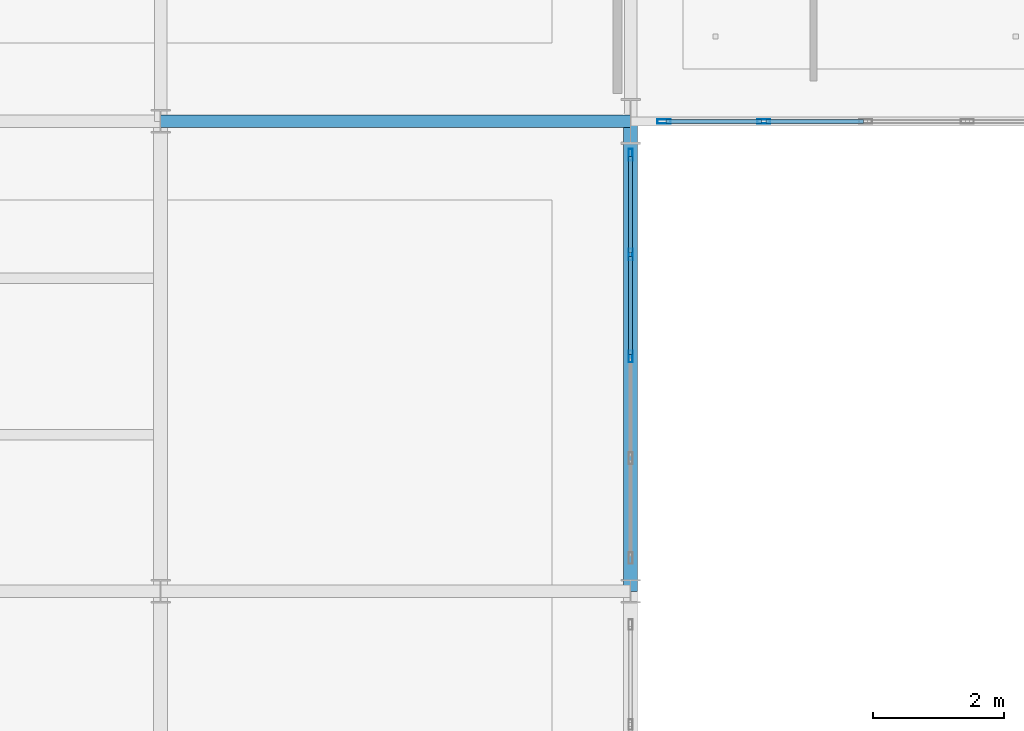
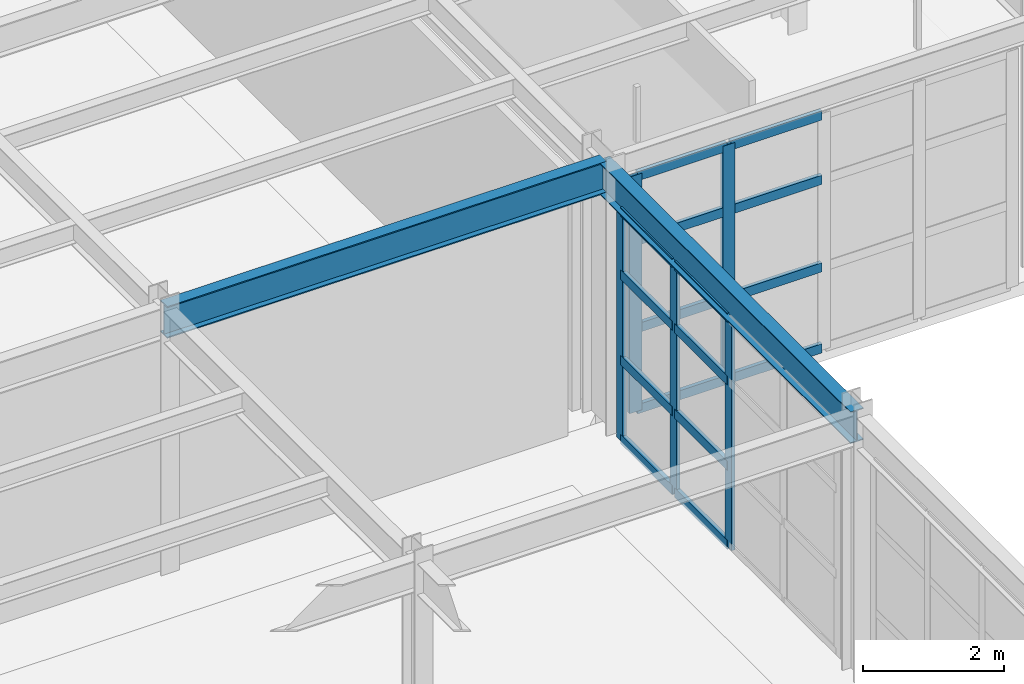
# One storey, part 29 of 121: 21 members, 2 beams, 2 elements without a shape of their own.
"""IFC4 building model written with IfcOpenShell, lengths in metres."""

from ifc_helpers import new_model, si_unit, direction, frame, origin, origin_2d, place, context, subcontext, project, spatial, hollow_rectangle, i_section, extrude, material, layer, layer_set, material_profile, profile_set, type_object, element, aggregate, save


model = new_model("IFC4")

# Units and contexts
model_context = context("Model", 3, precision=1e-05, world=origin(), true_north=direction((0.0, 1.0)))
body_context = subcontext(model_context, "Body", "Model", "MODEL_VIEW")
ifc_project = project(units=[si_unit("LENGTHUNIT", "METRE"), si_unit("AREAUNIT", "SQUARE_METRE"), si_unit("VOLUMEUNIT", "CUBIC_METRE"), si_unit("PLANEANGLEUNIT", "RADIAN"), si_unit("MASSUNIT", "GRAM", prefix="KILO")], contexts=[model_context])

# Site, building, storey
site_placement = place(None, origin())
site = spatial("IfcSite", under=ifc_project, at=site_placement, CompositionType="ELEMENT")
building_placement = place(site_placement, origin())
building = spatial("IfcBuilding", under=site, at=building_placement, Name="Solvadek Multi-Sports Hall", CompositionType="ELEMENT")
storey_placement = place(building_placement, frame((0.0, 0.0, 4.800048828125)))
storey = spatial("IfcBuildingStorey", under=building, at=storey_placement, Name="L01", CompositionType="ELEMENT", Elevation=4.800048828125)

# Curtain wall, members
ifc_material_1 = material(Name="Anodised aluminium", Category="aluminium")
ifc_layer_1 = layer(ifc_material_1, 0.159912109375, Name="Anodised aluminium")
ifc_layer_set_1 = layer_set([ifc_layer_1], Name="Anodised aluminium")
curtain_wall_type_1 = type_object("IfcCurtainWallType", Name="ENV-CW-624X400", PredefinedType="USERDEFINED", material=ifc_layer_set_1)
curtain_wall_1_placement = place(storey_placement, origin())
curtain_wall_1 = element("IfcCurtainWall", 1, at=curtain_wall_1_placement, inside=storey, type_object=curtain_wall_type_1, Name="L01 Perimeter Bay Curtain Wall #198", ObjectType="CURTAIN WALL", PredefinedType="USERDEFINED")
ifc_material_profile_1 = material_profile(ifc_material_1, hollow_rectangle(XDim=0.06005859375, YDim=0.179931640625, WallThickness=0.00390625, at=origin_2d()), Name="ALU-M 180x60x4")
ifc_profile_set_1 = profile_set([ifc_material_profile_1], Name="Anodised aluminium")
member_type_1 = type_object("IfcMemberType", Name="ENV-CWM-02", PredefinedType="MULLION", material=ifc_profile_set_1)
member_1_placement = place(storey_placement, frame((21.60009765625, 45.60009765625, 0.0), z_axis=(0.0, 0.0, 1.0), x_axis=(-1.0, 0.0, 0.0)))
member_1 = element("IfcMember", 2, at=member_1_placement, type_object=member_type_1, Name="CW-56 mullion 3", PredefinedType="MULLION", context=body_context, shape_type="SweptSolid", body=[
    extrude(hollow_rectangle(XDim=0.06005859375, YDim=0.179931640625, WallThickness=0.00390625, at=origin_2d()), origin(), (0.0, 0.0, 1.0), 4.0),
])
member_2_placement = place(storey_placement, frame((21.60009765625, 47.159912109375, 0.0), z_axis=(0.0, 0.0, 1.0), x_axis=(-1.0, 0.0, 0.0)))
member_2 = element("IfcMember", 3, at=member_2_placement, type_object=member_type_1, Name="CW-56 mullion 4", PredefinedType="MULLION", context=body_context, shape_type="SweptSolid", body=[
    extrude(hollow_rectangle(XDim=0.06005859375, YDim=0.179931640625, WallThickness=0.00390625, at=origin_2d()), origin(), (0.0, 0.0, 1.0), 4.0),
])
member_3_placement = place(storey_placement, frame((21.60009765625, 48.68994140625, 0.0), z_axis=(0.0, 0.0, 1.0), x_axis=(-1.0, 0.0, 0.0)))
member_3 = element("IfcMember", 4, at=member_3_placement, type_object=member_type_1, Name="CW-56 mullion 5", PredefinedType="MULLION", context=body_context, shape_type="SweptSolid", body=[
    extrude(hollow_rectangle(XDim=0.06005859375, YDim=0.179931640625, WallThickness=0.00390625, at=origin_2d()), origin(), (0.0, 0.0, 1.0), 4.0),
])

ifc_layer_2 = layer(ifc_material_1, 0.159912109375, Name="Anodised aluminium")
ifc_layer_set_2 = layer_set([ifc_layer_2], Name="Anodised aluminium")
curtain_wall_type_2 = type_object("IfcCurtainWallType", Name="ENV-CW-624X410", PredefinedType="USERDEFINED", material=ifc_layer_set_2)
curtain_wall_2_placement = place(storey_placement, origin())
curtain_wall_2 = element("IfcCurtainWall", 5, at=curtain_wall_2_placement, inside=storey, type_object=curtain_wall_type_2, Name="L01 Perimeter Bay Curtain Wall #156", ObjectType="CURTAIN WALL", PredefinedType="USERDEFINED")
ifc_material_profile_2 = material_profile(ifc_material_1, hollow_rectangle(XDim=0.06494140625, YDim=0.199951171875, WallThickness=0.0048828125, at=origin_2d()), Name="ALU-M 200x65x5")
ifc_profile_set_2 = profile_set([ifc_material_profile_2], Name="Anodised aluminium")
member_type_2 = type_object("IfcMemberType", Name="ENV-CWM-03", PredefinedType="MULLION", material=ifc_profile_set_2)
member_4_placement = place(storey_placement, frame((22.112548828125, 49.199951171875, 0.0), z_axis=(0.0, 0.0, 1.0), x_axis=(0.0, 1.0, 0.0)))
member_4 = element("IfcMember", 6, at=member_4_placement, type_object=member_type_2, Name="CW-39 mullion 1", PredefinedType="MULLION", context=body_context, shape_type="SweptSolid", body=[
    extrude(hollow_rectangle(XDim=0.06494140625, YDim=0.199951171875, WallThickness=0.0048828125, at=origin_2d()), origin(), (0.0, 0.0, 1.0), 4.099853515625),
])
member_5_placement = place(storey_placement, frame((23.639892578125, 49.199951171875, 0.0), z_axis=(0.0, 0.0, 1.0), x_axis=(0.0, 1.0, 0.0)))
member_5 = element("IfcMember", 7, at=member_5_placement, type_object=member_type_2, Name="CW-39 mullion 2", PredefinedType="MULLION", context=body_context, shape_type="SweptSolid", body=[
    extrude(hollow_rectangle(XDim=0.06494140625, YDim=0.199951171875, WallThickness=0.0048828125, at=origin_2d()), origin(), (0.0, 0.0, 1.0), 4.099853515625),
])
ifc_material_profile_3 = material_profile(ifc_material_1, hollow_rectangle(XDim=0.06494140625, YDim=0.159912109375, WallThickness=0.00390625, at=origin_2d()), Name="ALU-T 160x65x4")
ifc_profile_set_3 = profile_set([ifc_material_profile_3], Name="Anodised aluminium")
member_type_3 = type_object("IfcMemberType", Name="ENV-CWT-03", PredefinedType="USERDEFINED", material=ifc_profile_set_3)
member_6_placement = place(storey_placement, frame((22.14501953125, 49.199951171875, 0.032470703125), z_axis=(1.0, 0.0, 0.0), x_axis=(0.0, 1.0, 0.0)))
member_6 = element("IfcMember", 8, at=member_6_placement, type_object=member_type_3, Name="CW-39 transom 1.1", ObjectType="TRANSOM", PredefinedType="USERDEFINED", context=body_context, shape_type="SweptSolid", body=[
    extrude(hollow_rectangle(XDim=0.06494140625, YDim=0.159912109375, WallThickness=0.00390625, at=origin_2d()), origin(), (0.0, 0.0, 1.0), 1.46240234375),
])
member_7_placement = place(storey_placement, frame((22.14501953125, 49.199951171875, 1.43505859375), z_axis=(1.0, 0.0, 0.0), x_axis=(0.0, 1.0, 0.0)))
member_7 = element("IfcMember", 9, at=member_7_placement, type_object=member_type_3, Name="CW-39 transom 1.2", ObjectType="TRANSOM", PredefinedType="USERDEFINED", context=body_context, shape_type="SweptSolid", body=[
    extrude(hollow_rectangle(XDim=0.06494140625, YDim=0.159912109375, WallThickness=0.00390625, at=origin_2d()), origin(), (0.0, 0.0, 1.0), 1.46240234375),
])
member_8_placement = place(storey_placement, frame((22.14501953125, 49.199951171875, 2.951904296875), z_axis=(1.0, 0.0, 0.0), x_axis=(0.0, 1.0, 0.0)))
member_8 = element("IfcMember", 10, at=member_8_placement, type_object=member_type_3, Name="CW-39 transom 1.3", ObjectType="TRANSOM", PredefinedType="USERDEFINED", context=body_context, shape_type="SweptSolid", body=[
    extrude(hollow_rectangle(XDim=0.06494140625, YDim=0.159912109375, WallThickness=0.00390625, at=origin_2d()), origin(), (0.0, 0.0, 1.0), 1.46240234375),
])
member_9_placement = place(storey_placement, frame((22.14501953125, 49.199951171875, 4.0673828125), z_axis=(1.0, 0.0, 0.0), x_axis=(0.0, 1.0, 0.0)))
member_9 = element("IfcMember", 11, at=member_9_placement, type_object=member_type_3, Name="CW-39 transom 1.4", ObjectType="TRANSOM", PredefinedType="USERDEFINED", context=body_context, shape_type="SweptSolid", body=[
    extrude(hollow_rectangle(XDim=0.06494140625, YDim=0.159912109375, WallThickness=0.00390625, at=origin_2d()), origin(), (0.0, 0.0, 1.0), 1.46240234375),
])
member_10_placement = place(storey_placement, frame((23.672607421875, 49.199951171875, 0.032470703125), z_axis=(1.0, 0.0, 0.0), x_axis=(0.0, 1.0, 0.0)))
member_10 = element("IfcMember", 12, at=member_10_placement, type_object=member_type_3, Name="CW-39 transom 2.1", ObjectType="TRANSOM", PredefinedType="USERDEFINED", context=body_context, shape_type="SweptSolid", body=[
    extrude(hollow_rectangle(XDim=0.06494140625, YDim=0.159912109375, WallThickness=0.00390625, at=origin_2d()), origin(), (0.0, 0.0, 1.0), 1.494873046875),
])
member_11_placement = place(storey_placement, frame((23.672607421875, 49.199951171875, 1.43505859375), z_axis=(1.0, 0.0, 0.0), x_axis=(0.0, 1.0, 0.0)))
member_11 = element("IfcMember", 13, at=member_11_placement, type_object=member_type_3, Name="CW-39 transom 2.2", ObjectType="TRANSOM", PredefinedType="USERDEFINED", context=body_context, shape_type="SweptSolid", body=[
    extrude(hollow_rectangle(XDim=0.06494140625, YDim=0.159912109375, WallThickness=0.00390625, at=origin_2d()), origin(), (0.0, 0.0, 1.0), 1.494873046875),
])
member_12_placement = place(storey_placement, frame((23.672607421875, 49.199951171875, 2.951904296875), z_axis=(1.0, 0.0, 0.0), x_axis=(0.0, 1.0, 0.0)))
member_12 = element("IfcMember", 14, at=member_12_placement, type_object=member_type_3, Name="CW-39 transom 2.3", ObjectType="TRANSOM", PredefinedType="USERDEFINED", context=body_context, shape_type="SweptSolid", body=[
    extrude(hollow_rectangle(XDim=0.06494140625, YDim=0.159912109375, WallThickness=0.00390625, at=origin_2d()), origin(), (0.0, 0.0, 1.0), 1.494873046875),
])
member_13_placement = place(storey_placement, frame((23.672607421875, 49.199951171875, 4.0673828125), z_axis=(1.0, 0.0, 0.0), x_axis=(0.0, 1.0, 0.0)))
member_13 = element("IfcMember", 15, at=member_13_placement, type_object=member_type_3, Name="CW-39 transom 2.4", ObjectType="TRANSOM", PredefinedType="USERDEFINED", context=body_context, shape_type="SweptSolid", body=[
    extrude(hollow_rectangle(XDim=0.06494140625, YDim=0.159912109375, WallThickness=0.00390625, at=origin_2d()), origin(), (0.0, 0.0, 1.0), 1.494873046875),
])
aggregate(curtain_wall_2, [member_4, member_5, member_6, member_7, member_8, member_9, member_10, member_11, member_12, member_13])

# Member
member_14_placement = place(storey_placement, frame((21.60009765625, 45.6298828125, 0.032470703125), z_axis=(0.0, 1.0, 0.0), x_axis=(-1.0, 0.0, 0.0)))
member_14 = element("IfcMember", 16, at=member_14_placement, type_object=member_type_3, Name="CW-56 transom 3.1", ObjectType="TRANSOM", PredefinedType="USERDEFINED", context=body_context, shape_type="SweptSolid", body=[
    extrude(hollow_rectangle(XDim=0.06494140625, YDim=0.159912109375, WallThickness=0.00390625, at=origin_2d()), origin(), (0.0, 0.0, 1.0), 1.5),
])

member_15_placement = place(storey_placement, frame((21.60009765625, 45.6298828125, 1.39990234375), z_axis=(0.0, 1.0, 0.0), x_axis=(-1.0, 0.0, 0.0)))
member_15 = element("IfcMember", 17, at=member_15_placement, type_object=member_type_3, Name="CW-56 transom 3.2", ObjectType="TRANSOM", PredefinedType="USERDEFINED", context=body_context, shape_type="SweptSolid", body=[
    extrude(hollow_rectangle(XDim=0.06494140625, YDim=0.159912109375, WallThickness=0.00390625, at=origin_2d()), origin(), (0.0, 0.0, 1.0), 1.5),
])

member_16_placement = place(storey_placement, frame((21.60009765625, 45.6298828125, 2.8798828125), z_axis=(0.0, 1.0, 0.0), x_axis=(-1.0, 0.0, 0.0)))
member_16 = element("IfcMember", 18, at=member_16_placement, type_object=member_type_3, Name="CW-56 transom 3.3", ObjectType="TRANSOM", PredefinedType="USERDEFINED", context=body_context, shape_type="SweptSolid", body=[
    extrude(hollow_rectangle(XDim=0.06494140625, YDim=0.159912109375, WallThickness=0.00390625, at=origin_2d()), origin(), (0.0, 0.0, 1.0), 1.5),
])

member_17_placement = place(storey_placement, frame((21.60009765625, 45.6298828125, 3.967529296875), z_axis=(0.0, 1.0, 0.0), x_axis=(-1.0, 0.0, 0.0)))
member_17 = element("IfcMember", 19, at=member_17_placement, type_object=member_type_3, Name="CW-56 transom 3.4", ObjectType="TRANSOM", PredefinedType="USERDEFINED", context=body_context, shape_type="SweptSolid", body=[
    extrude(hollow_rectangle(XDim=0.06494140625, YDim=0.159912109375, WallThickness=0.00390625, at=origin_2d()), origin(), (0.0, 0.0, 1.0), 1.5),
])

member_18_placement = place(storey_placement, frame((21.60009765625, 47.18994140625, 0.032470703125), z_axis=(0.0, 1.0, 0.0), x_axis=(-1.0, 0.0, 0.0)))
member_18 = element("IfcMember", 20, at=member_18_placement, type_object=member_type_3, Name="CW-56 transom 4.1", ObjectType="TRANSOM", PredefinedType="USERDEFINED", context=body_context, shape_type="SweptSolid", body=[
    extrude(hollow_rectangle(XDim=0.06494140625, YDim=0.159912109375, WallThickness=0.00390625, at=origin_2d()), origin(), (0.0, 0.0, 1.0), 1.469970703125),
])

member_19_placement = place(storey_placement, frame((21.60009765625, 47.18994140625, 1.39990234375), z_axis=(0.0, 1.0, 0.0), x_axis=(-1.0, 0.0, 0.0)))
member_19 = element("IfcMember", 21, at=member_19_placement, type_object=member_type_3, Name="CW-56 transom 4.2", ObjectType="TRANSOM", PredefinedType="USERDEFINED", context=body_context, shape_type="SweptSolid", body=[
    extrude(hollow_rectangle(XDim=0.06494140625, YDim=0.159912109375, WallThickness=0.00390625, at=origin_2d()), origin(), (0.0, 0.0, 1.0), 1.469970703125),
])

member_20_placement = place(storey_placement, frame((21.60009765625, 47.18994140625, 2.8798828125), z_axis=(0.0, 1.0, 0.0), x_axis=(-1.0, 0.0, 0.0)))
member_20 = element("IfcMember", 22, at=member_20_placement, type_object=member_type_3, Name="CW-56 transom 4.3", ObjectType="TRANSOM", PredefinedType="USERDEFINED", context=body_context, shape_type="SweptSolid", body=[
    extrude(hollow_rectangle(XDim=0.06494140625, YDim=0.159912109375, WallThickness=0.00390625, at=origin_2d()), origin(), (0.0, 0.0, 1.0), 1.469970703125),
])

member_21_placement = place(storey_placement, frame((21.60009765625, 47.18994140625, 3.967529296875), z_axis=(0.0, 1.0, 0.0), x_axis=(-1.0, 0.0, 0.0)))
member_21 = element("IfcMember", 23, at=member_21_placement, type_object=member_type_3, Name="CW-56 transom 4.4", ObjectType="TRANSOM", PredefinedType="USERDEFINED", context=body_context, shape_type="SweptSolid", body=[
    extrude(hollow_rectangle(XDim=0.06494140625, YDim=0.159912109375, WallThickness=0.00390625, at=origin_2d()), origin(), (0.0, 0.0, 1.0), 1.469970703125),
])

aggregate(curtain_wall_1, [member_1, member_2, member_3, member_14, member_15, member_16, member_17, member_18, member_19, member_20, member_21])

# Beams
ifc_material_2 = material(Name="Steel E350 (350 MPa)", Category="steel")
ifc_material_profile_4 = material_profile(ifc_material_2, i_section(OverallWidth=0.18994140625, OverallDepth=0.550048828125, WebThickness=0.01123046875, FlangeThickness=0.019287109375, at=origin_2d()), Name="ISMB 550")
ifc_profile_set_4 = profile_set([ifc_material_profile_4], Name="Steel E350 (350 MPa)")
beam_type_1 = type_object("IfcBeamType", Name="STR-BM-ISMB550", PredefinedType="BEAM", material=ifc_profile_set_4)
beam_1_placement = place(storey_placement, frame((14.39990234375, 49.199951171875, 4.284912109375), z_axis=(1.0, 0.0, 0.0), x_axis=(0.0, 1.0, 0.0)))
element("IfcBeam", 24, at=beam_1_placement, inside=storey, type_object=beam_type_1, Name="L01 Girder B-06 #1007", PredefinedType="BEAM", context=body_context, shape_type="SweptSolid", body=[
    extrude(i_section(OverallWidth=0.18994140625, OverallDepth=0.550048828125, WebThickness=0.01123046875, FlangeThickness=0.019287109375, at=origin_2d()), origin(), (0.0, 0.0, 1.0), 7.2001953125),
])
ifc_material_profile_5 = material_profile(ifc_material_2, i_section(OverallWidth=0.2099609375, OverallDepth=0.550048828125, WebThickness=0.010986328125, FlangeThickness=0.01708984375, at=origin_2d()), Name="NPB 550")
ifc_profile_set_5 = profile_set([ifc_material_profile_5], Name="Steel E350 (350 MPa)")
beam_type_2 = type_object("IfcBeamType", Name="STR-BM-NPB550", PredefinedType="BEAM", material=ifc_profile_set_5)
beam_2_placement = place(storey_placement, frame((21.60009765625, 42.0, 4.284912109375), z_axis=(0.0, 1.0, 0.0), x_axis=(-1.0, 0.0, 0.0)))
element("IfcBeam", 25, at=beam_2_placement, inside=storey, type_object=beam_type_2, Name="L01 Girder B-05 #1154", PredefinedType="BEAM", context=body_context, shape_type="SweptSolid", body=[
    extrude(i_section(OverallWidth=0.2099609375, OverallDepth=0.550048828125, WebThickness=0.010986328125, FlangeThickness=0.01708984375, at=origin_2d()), origin(), (0.0, 0.0, 1.0), 7.199951171875),
])

save(model, "model.ifc")
